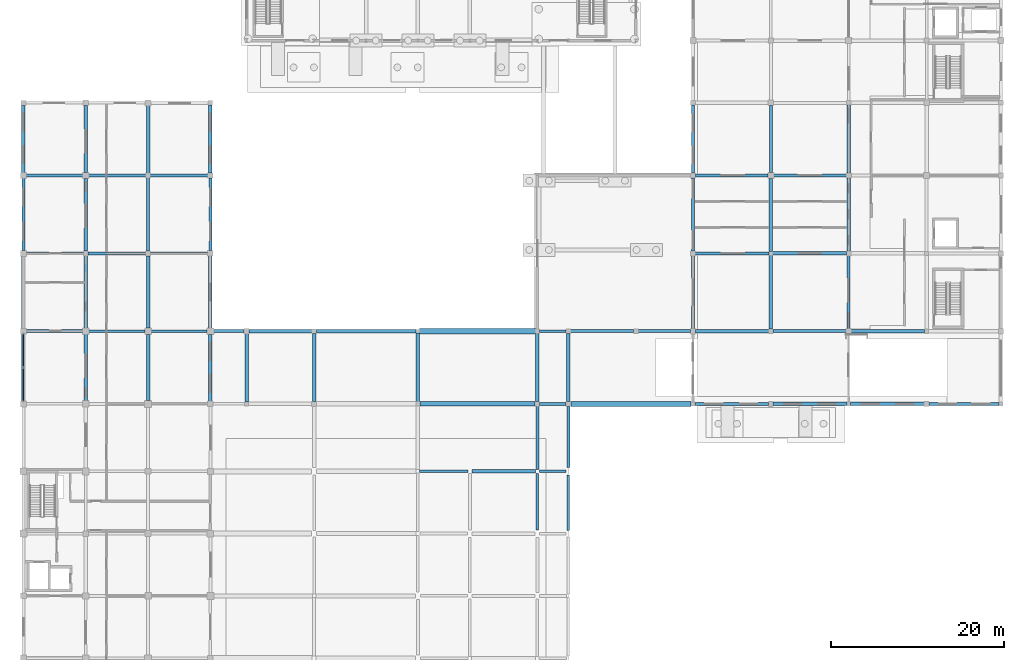
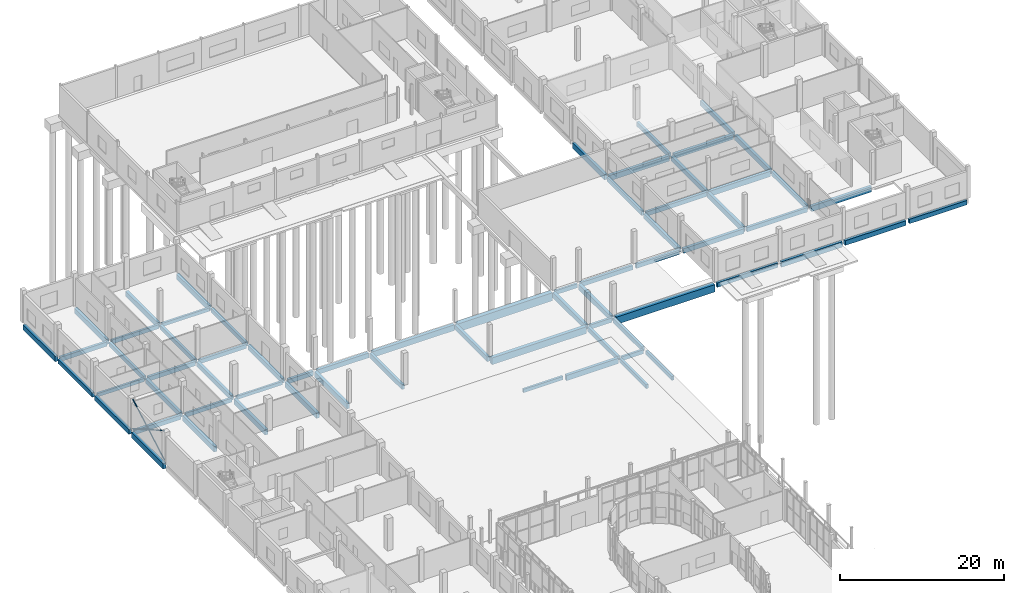
# One storey, part 50 of 91: 67 beams, 3 members.
"""IFC4 building model written with IfcOpenShell, lengths in metres."""

from ifc_helpers import new_model, si_unit, direction, frame, origin, origin_2d, place, context, subcontext, project, spatial, rectangle, hollow_circle, extrude, material, material_profile, profile_set, type_object, element, save


model = new_model("IFC4")

# Units and contexts
model_context = context("Model", 3, precision=1e-05, world=origin(), true_north=direction((0.0, 1.0)))
body_context = subcontext(model_context, "Body", "Model", "MODEL_VIEW")
ifc_project = project(units=[si_unit("LENGTHUNIT", "METRE"), si_unit("AREAUNIT", "SQUARE_METRE"), si_unit("VOLUMEUNIT", "CUBIC_METRE"), si_unit("PLANEANGLEUNIT", "RADIAN"), si_unit("MASSUNIT", "GRAM", prefix="KILO")], contexts=[model_context])

# Site, building, storey
site_placement = place(None, origin())
site = spatial("IfcSite", under=ifc_project, at=site_placement, CompositionType="ELEMENT")
building_placement = place(site_placement, origin())
building = spatial("IfcBuilding", under=site, at=building_placement, Name="Vinh Khe Railworks Police Headquarters", CompositionType="ELEMENT")
storey_placement = place(building_placement, origin())
storey = spatial("IfcBuildingStorey", under=building, at=storey_placement, Name="L00", CompositionType="ELEMENT", Elevation=0.0)

# Members
ifc_material_1 = material(Name="Steel S355JR", Category="steel")
ifc_material_profile_1 = material_profile(ifc_material_1, hollow_circle(Radius=0.084228515625, WallThickness=0.010009765625, at=origin_2d()), Name="CHS 168.3x10")
ifc_profile_set_1 = profile_set([ifc_material_profile_1], Name="Steel S355JR")
member_type = type_object("IfcMemberType", Name="Concentric Brace CHS 168.3x10", PredefinedType="BRACE", material=ifc_profile_set_1)
member_placement = place(storey_placement, frame((0.60009765625, 96.330078125, 0.199951171875), z_axis=(0.0, 0.870020230282, 0.493016022964), x_axis=(-1.0, 0.0, 0.0)))
element("IfcMember", 1, at=member_placement, inside=storey, type_object=member_type, Name="Continuous Concentric Brace MEM-BR-L00-BR-12-025", PredefinedType="BRACE", context=body_context, shape_type="SweptSolid", body=[
    extrude(hollow_circle(Radius=0.084228515625, WallThickness=0.010009765625, at=origin_2d()), origin(), (0.0, 0.0, 1.0), 8.925048828125),
])
for number, where, z_axis, x_axis, name in (
    (2, (0.60009765625, 96.330078125, 4.60009765625), (0.0, 0.870019792283, -0.493016795896), (-1.0, 0.0, 0.0), "Split X-Brace Segment MEM-BR-L00-BR-12-026 (2A)"),
    (3, (0.60009765625, 100.28857421875, 2.35693359375), (0.0, 0.870019792283, -0.493016795896), (-1.0, 0.0, 0.0), "Split X-Brace Segment MEM-BR-L00-BR-12-027 (2B)"),
):
    element("IfcMember", number, at=place(storey_placement, frame(where, z_axis=z_axis, x_axis=x_axis)), inside=storey, type_object=member_type, Name=name, PredefinedType="BRACE", context=body_context, shape_type="SweptSolid", body=[
        extrude(hollow_circle(Radius=0.084228515625, WallThickness=0.010009765625, at=origin_2d()), origin(), (0.0, 0.0, 1.0), 4.375),
    ])

# Beams
ifc_material_2 = material(Name="Concrete C35/45 (B35)", Category="concrete")
ifc_material_profile_2 = material_profile(ifc_material_2, rectangle(XDim=0.300048828125, YDim=0.5, at=origin_2d()), Name="RC 300x500")
ifc_profile_set_2 = profile_set([ifc_material_profile_2], Name="Concrete C35/45 (B35)")
beam_type_1 = type_object("IfcBeamType", Name="RC Girder RC 300x500", PredefinedType="BEAM", material=ifc_profile_set_2)
beam_1_placement = place(storey_placement, frame((46.405029296875, 88.199951171875, -0.530029296875), z_axis=(1.0, 0.0, 0.0), x_axis=(0.0, 1.0, 0.0)))
element("IfcBeam", 4, at=beam_1_placement, inside=storey, type_object=beam_type_1, Name="Girder BM-L00-EW-RB-10-0120", PredefinedType="BEAM", context=body_context, shape_type="SweptSolid", body=[
    extrude(rectangle(XDim=0.300048828125, YDim=0.5, at=origin_2d()), origin(), (0.0, 0.0, 1.0), 5.56494140625),
])
beam_2_placement = place(storey_placement, frame((15.35498046875, 104.39990234375, -0.530029296875), z_axis=(1.0, 0.0, 0.0), x_axis=(0.0, 1.0, 0.0)))
element("IfcBeam", 5, at=beam_2_placement, inside=storey, type_object=beam_type_1, Name="Girder BM-L00-EW-RB-10-0138", PredefinedType="BEAM", context=body_context, shape_type="SweptSolid", body=[
    extrude(rectangle(XDim=0.300048828125, YDim=0.5, at=origin_2d()), origin(), (0.0, 0.0, 1.0), 6.465087890625),
])
beam_3_placement = place(storey_placement, frame((0.929931640625, 113.39990234375, -0.530029296875), z_axis=(1.0, 0.0, 0.0), x_axis=(0.0, 1.0, 0.0)))
element("IfcBeam", 6, at=beam_3_placement, inside=storey, type_object=beam_type_1, Name="Girder BM-L00-EW-RB-10-0150", PredefinedType="BEAM", context=body_context, shape_type="SweptSolid", body=[
    extrude(rectangle(XDim=0.300048828125, YDim=0.5, at=origin_2d()), origin(), (0.0, 0.0, 1.0), 6.614990234375),
])
beam_4_placement = place(storey_placement, frame((15.2548828125, 122.39990234375, -0.530029296875), z_axis=(1.0, 0.0, 0.0), x_axis=(0.0, 1.0, 0.0)))
element("IfcBeam", 7, at=beam_4_placement, inside=storey, type_object=beam_type_1, Name="Girder BM-L00-EW-RB-10-0159", PredefinedType="BEAM", context=body_context, shape_type="SweptSolid", body=[
    extrude(rectangle(XDim=0.300048828125, YDim=0.5, at=origin_2d()), origin(), (0.0, 0.0, 1.0), 6.6650390625),
])
ifc_material_profile_3 = material_profile(ifc_material_2, rectangle(XDim=0.300048828125, YDim=0.60009765625, at=origin_2d()), Name="RC 300x600")
ifc_profile_set_3 = profile_set([ifc_material_profile_3], Name="Concrete C35/45 (B35)")
beam_type_2 = type_object("IfcBeamType", Name="RC Girder RC 300x600", PredefinedType="BEAM", material=ifc_profile_set_3)
beam_5_placement = place(storey_placement, frame((60.22998046875, 88.199951171875, -0.580078125), z_axis=(1.0, 0.0, 0.0), x_axis=(0.0, 1.0, 0.0)))
element("IfcBeam", 8, at=beam_5_placement, inside=storey, type_object=beam_type_2, Name="Girder BM-L00-EW-RB-09-0122", PredefinedType="BEAM", context=body_context, shape_type="SweptSolid", body=[
    extrude(rectangle(XDim=0.300048828125, YDim=0.60009765625, at=origin_2d()), origin(), (0.0, 0.0, 1.0), 3.090087890625),
])
beam_6_placement = place(storey_placement, frame((8.1298828125, 104.39990234375, -0.580078125), z_axis=(1.0, 0.0, 0.0), x_axis=(0.0, 1.0, 0.0)))
element("IfcBeam", 9, at=beam_6_placement, inside=storey, type_object=beam_type_2, Name="Girder BM-L00-EW-RB-09-0137", PredefinedType="BEAM", context=body_context, shape_type="SweptSolid", body=[
    extrude(rectangle(XDim=0.300048828125, YDim=0.60009765625, at=origin_2d()), origin(), (0.0, 0.0, 1.0), 6.51513671875),
])
beam_7_placement = place(storey_placement, frame((60.22998046875, 104.39990234375, -0.580078125), z_axis=(1.0, 0.0, 0.0), x_axis=(0.0, 1.0, 0.0)))
element("IfcBeam", 10, at=beam_7_placement, inside=storey, type_object=beam_type_2, Name="Girder BM-L00-EW-RB-09-0143", PredefinedType="BEAM", context=body_context, shape_type="SweptSolid", body=[
    extrude(rectangle(XDim=0.300048828125, YDim=0.60009765625, at=origin_2d()), origin(), (0.0, 0.0, 1.0), 3.114990234375),
])
beam_8_placement = place(storey_placement, frame((15.280029296875, 113.39990234375, -0.580078125), z_axis=(1.0, 0.0, 0.0), x_axis=(0.0, 1.0, 0.0)))
element("IfcBeam", 11, at=beam_8_placement, inside=storey, type_object=beam_type_2, Name="Girder BM-L00-EW-RB-09-0152", PredefinedType="BEAM", context=body_context, shape_type="SweptSolid", body=[
    extrude(rectangle(XDim=0.300048828125, YDim=0.60009765625, at=origin_2d()), origin(), (0.0, 0.0, 1.0), 6.614990234375),
])
beam_9_placement = place(storey_placement, frame((8.1298828125, 122.39990234375, -0.580078125), z_axis=(1.0, 0.0, 0.0), x_axis=(0.0, 1.0, 0.0)))
element("IfcBeam", 12, at=beam_9_placement, inside=storey, type_object=beam_type_2, Name="Girder BM-L00-EW-RB-09-0158", PredefinedType="BEAM", context=body_context, shape_type="SweptSolid", body=[
    extrude(rectangle(XDim=0.300048828125, YDim=0.60009765625, at=origin_2d()), origin(), (0.0, 0.0, 1.0), 6.615234375),
])
beam_10_placement = place(storey_placement, frame((60.0, 81.429931640625, -0.580078125), z_axis=(0.0, 1.0, 0.0), x_axis=(-1.0, 0.0, 0.0)))
element("IfcBeam", 13, at=beam_10_placement, inside=storey, type_object=beam_type_2, Name="Girder BM-L00-NS-RB-09-0332", PredefinedType="BEAM", context=body_context, shape_type="SweptSolid", body=[
    extrude(rectangle(XDim=0.300048828125, YDim=0.60009765625, at=origin_2d()), origin(), (0.0, 0.0, 1.0), 6.5400390625),
])
beam_11_placement = place(storey_placement, frame((63.60009765625, 81.3798828125, -0.580078125), z_axis=(0.0, 1.0, 0.0), x_axis=(-1.0, 0.0, 0.0)))
element("IfcBeam", 14, at=beam_11_placement, inside=storey, type_object=beam_type_2, Name="Girder BM-L00-NS-RB-09-0347", PredefinedType="BEAM", context=body_context, shape_type="SweptSolid", body=[
    extrude(rectangle(XDim=0.300048828125, YDim=0.60009765625, at=origin_2d()), origin(), (0.0, 0.0, 1.0), 6.39013671875),
])
ifc_material_profile_4 = material_profile(ifc_material_2, rectangle(XDim=0.35009765625, YDim=0.64990234375, at=origin_2d()), Name="RC 350x650")
ifc_profile_set_4 = profile_set([ifc_material_profile_4], Name="Concrete C35/45 (B35)")
beam_type_3 = type_object("IfcBeamType", Name="RC Girder RC 350x650", PredefinedType="BEAM", material=ifc_profile_set_4)
beam_12_placement = place(storey_placement, frame((60.2548828125, 96.0, -0.60498046875), z_axis=(1.0, 0.0, 0.0), x_axis=(0.0, 1.0, 0.0)))
element("IfcBeam", 15, at=beam_12_placement, inside=storey, type_object=beam_type_3, Name="Girder BM-L00-EW-RB-08-0130", PredefinedType="BEAM", context=body_context, shape_type="SweptSolid", body=[
    extrude(rectangle(XDim=0.35009765625, YDim=0.64990234375, at=origin_2d()), origin(), (0.0, 0.0, 1.0), 3.065185546875),
])
beam_13_placement = place(storey_placement, frame((78.205078125, 96.0, -0.60498046875), z_axis=(1.0, 0.0, 0.0), x_axis=(0.0, 1.0, 0.0)))
element("IfcBeam", 16, at=beam_13_placement, inside=storey, type_object=beam_type_3, Name="Girder BM-L00-EW-RB-08-0132", PredefinedType="BEAM", context=body_context, shape_type="SweptSolid", body=[
    extrude(rectangle(XDim=0.35009765625, YDim=0.64990234375, at=origin_2d()), origin(), (0.0, 0.0, 1.0), 8.5400390625),
])
beam_14_placement = place(storey_placement, frame((105.2548828125, 96.0, -0.60498046875), z_axis=(1.0, 0.0, 0.0), x_axis=(0.0, 1.0, 0.0)))
element("IfcBeam", 17, at=beam_14_placement, inside=storey, type_object=beam_type_3, Name="Girder BM-L00-EW-RB-08-0135", PredefinedType="BEAM", context=body_context, shape_type="SweptSolid", body=[
    extrude(rectangle(XDim=0.35009765625, YDim=0.64990234375, at=origin_2d()), origin(), (0.0, 0.0, 1.0), 8.14013671875),
])
beam_15_placement = place(storey_placement, frame((0.905029296875, 104.39990234375, -0.60498046875), z_axis=(1.0, 0.0, 0.0), x_axis=(0.0, 1.0, 0.0)))
element("IfcBeam", 18, at=beam_15_placement, inside=storey, type_object=beam_type_3, Name="Girder BM-L00-EW-RB-08-0136", PredefinedType="BEAM", context=body_context, shape_type="SweptSolid", body=[
    extrude(rectangle(XDim=0.35009765625, YDim=0.64990234375, at=origin_2d()), origin(), (0.0, 0.0, 1.0), 6.56494140625),
])
beam_16_placement = place(storey_placement, frame((22.580078125, 104.39990234375, -0.60498046875), z_axis=(1.0, 0.0, 0.0), x_axis=(0.0, 1.0, 0.0)))
element("IfcBeam", 19, at=beam_16_placement, inside=storey, type_object=beam_type_3, Name="Girder BM-L00-EW-RB-08-0139", PredefinedType="BEAM", context=body_context, shape_type="SweptSolid", body=[
    extrude(rectangle(XDim=0.35009765625, YDim=0.64990234375, at=origin_2d()), origin(), (0.0, 0.0, 1.0), 3.5400390625),
])
beam_17_placement = place(storey_placement, frame((63.85498046875, 104.39990234375, -0.60498046875), z_axis=(1.0, 0.0, 0.0), x_axis=(0.0, 1.0, 0.0)))
element("IfcBeam", 20, at=beam_17_placement, inside=storey, type_object=beam_type_3, Name="Girder BM-L00-EW-RB-08-0144", PredefinedType="BEAM", context=body_context, shape_type="SweptSolid", body=[
    extrude(rectangle(XDim=0.35009765625, YDim=0.64990234375, at=origin_2d()), origin(), (0.0, 0.0, 1.0), 7.2900390625),
])
beam_18_placement = place(storey_placement, frame((71.655029296875, 104.39990234375, -0.60498046875), z_axis=(1.0, 0.0, 0.0), x_axis=(0.0, 1.0, 0.0)))
element("IfcBeam", 21, at=beam_18_placement, inside=storey, type_object=beam_type_3, Name="Girder BM-L00-EW-RB-08-0145", PredefinedType="BEAM", context=body_context, shape_type="SweptSolid", body=[
    extrude(rectangle(XDim=0.35009765625, YDim=0.64990234375, at=origin_2d()), origin(), (0.0, 0.0, 1.0), 6.06494140625),
])
beam_19_placement = place(storey_placement, frame((87.22998046875, 104.39990234375, -0.60498046875), z_axis=(1.0, 0.0, 0.0), x_axis=(0.0, 1.0, 0.0)))
element("IfcBeam", 22, at=beam_19_placement, inside=storey, type_object=beam_type_3, Name="Girder BM-L00-EW-RB-08-0147", PredefinedType="BEAM", context=body_context, shape_type="SweptSolid", body=[
    extrude(rectangle(XDim=0.35009765625, YDim=0.64990234375, at=origin_2d()), origin(), (0.0, 0.0, 1.0), 8.489990234375),
])
beam_20_placement = place(storey_placement, frame((8.054931640625, 113.39990234375, -0.60498046875), z_axis=(1.0, 0.0, 0.0), x_axis=(0.0, 1.0, 0.0)))
element("IfcBeam", 23, at=beam_20_placement, inside=storey, type_object=beam_type_3, Name="Girder BM-L00-EW-RB-08-0151", PredefinedType="BEAM", context=body_context, shape_type="SweptSolid", body=[
    extrude(rectangle(XDim=0.35009765625, YDim=0.64990234375, at=origin_2d()), origin(), (0.0, 0.0, 1.0), 6.6650390625),
])
beam_21_placement = place(storey_placement, frame((78.2548828125, 113.39990234375, -0.60498046875), z_axis=(1.0, 0.0, 0.0), x_axis=(0.0, 1.0, 0.0)))
element("IfcBeam", 24, at=beam_21_placement, inside=storey, type_object=beam_type_3, Name="Girder BM-L00-EW-RB-08-0153", PredefinedType="BEAM", context=body_context, shape_type="SweptSolid", body=[
    extrude(rectangle(XDim=0.35009765625, YDim=0.64990234375, at=origin_2d()), origin(), (0.0, 0.0, 1.0), 8.5400390625),
])
beam_22_placement = place(storey_placement, frame((0.905029296875, 122.39990234375, -0.60498046875), z_axis=(1.0, 0.0, 0.0), x_axis=(0.0, 1.0, 0.0)))
element("IfcBeam", 25, at=beam_22_placement, inside=storey, type_object=beam_type_3, Name="Girder BM-L00-EW-RB-08-0157", PredefinedType="BEAM", context=body_context, shape_type="SweptSolid", body=[
    extrude(rectangle(XDim=0.35009765625, YDim=0.64990234375, at=origin_2d()), origin(), (0.0, 0.0, 1.0), 6.56494140625),
])
beam_23_placement = place(storey_placement, frame((0.60009765625, 113.72998046875, -0.60498046875), z_axis=(0.0, 1.0, 0.0), x_axis=(-1.0, 0.0, 0.0)))
element("IfcBeam", 26, at=beam_23_placement, inside=storey, type_object=beam_type_3, Name="Girder BM-L00-NS-RB-08-0207", PredefinedType="BEAM", context=body_context, shape_type="SweptSolid", body=[
    extrude(rectangle(XDim=0.35009765625, YDim=0.64990234375, at=origin_2d()), origin(), (0.0, 0.0, 1.0), 8.364990234375),
])
beam_24_placement = place(storey_placement, frame((7.800048828125, 113.655029296875, -0.60498046875), z_axis=(0.0, 1.0, 0.0), x_axis=(-1.0, 0.0, 0.0)))
element("IfcBeam", 27, at=beam_24_placement, inside=storey, type_object=beam_type_3, Name="Girder BM-L00-NS-RB-08-0225", PredefinedType="BEAM", context=body_context, shape_type="SweptSolid", body=[
    extrude(rectangle(XDim=0.35009765625, YDim=0.64990234375, at=origin_2d()), origin(), (0.0, 0.0, 1.0), 8.4150390625),
])
beam_25_placement = place(storey_placement, frame((15.0, 113.679931640625, -0.60498046875), z_axis=(0.0, 1.0, 0.0), x_axis=(-1.0, 0.0, 0.0)))
element("IfcBeam", 28, at=beam_25_placement, inside=storey, type_object=beam_type_3, Name="Girder BM-L00-NS-RB-08-0243", PredefinedType="BEAM", context=body_context, shape_type="SweptSolid", body=[
    extrude(rectangle(XDim=0.35009765625, YDim=0.64990234375, at=origin_2d()), origin(), (0.0, 0.0, 1.0), 8.465087890625),
])
beam_26_placement = place(storey_placement, frame((22.199951171875, 113.705078125, -0.60498046875), z_axis=(0.0, 1.0, 0.0), x_axis=(-1.0, 0.0, 0.0)))
element("IfcBeam", 29, at=beam_26_placement, inside=storey, type_object=beam_type_3, Name="Girder BM-L00-NS-RB-08-0261", PredefinedType="BEAM", context=body_context, shape_type="SweptSolid", body=[
    extrude(rectangle(XDim=0.35009765625, YDim=0.64990234375, at=origin_2d()), origin(), (0.0, 0.0, 1.0), 8.4150390625),
])
beam_27_placement = place(storey_placement, frame((60.0, 88.429931640625, -0.60498046875), z_axis=(0.0, 1.0, 0.0), x_axis=(-1.0, 0.0, 0.0)))
element("IfcBeam", 30, at=beam_27_placement, inside=storey, type_object=beam_type_3, Name="Girder BM-L00-NS-RB-08-0333", PredefinedType="BEAM", context=body_context, shape_type="SweptSolid", body=[
    extrude(rectangle(XDim=0.35009765625, YDim=0.64990234375, at=origin_2d()), origin(), (0.0, 0.0, 1.0), 7.315185546875),
])
beam_28_placement = place(storey_placement, frame((63.60009765625, 88.6298828125, -0.60498046875), z_axis=(0.0, 1.0, 0.0), x_axis=(-1.0, 0.0, 0.0)))
element("IfcBeam", 31, at=beam_28_placement, inside=storey, type_object=beam_type_3, Name="Girder BM-L00-NS-RB-08-0348", PredefinedType="BEAM", context=body_context, shape_type="SweptSolid", body=[
    extrude(rectangle(XDim=0.35009765625, YDim=0.64990234375, at=origin_2d()), origin(), (0.0, 0.0, 1.0), 7.090087890625),
])
beam_29_placement = place(storey_placement, frame((78.0, 113.655029296875, -0.60498046875), z_axis=(0.0, 1.0, 0.0), x_axis=(-1.0, 0.0, 0.0)))
element("IfcBeam", 32, at=beam_29_placement, inside=storey, type_object=beam_type_3, Name="Girder BM-L00-NS-RB-08-0351", PredefinedType="BEAM", context=body_context, shape_type="SweptSolid", body=[
    extrude(rectangle(XDim=0.35009765625, YDim=0.64990234375, at=origin_2d()), origin(), (0.0, 0.0, 1.0), 8.465087890625),
])
beam_30_placement = place(storey_placement, frame((87.0, 122.72998046875, -0.60498046875), z_axis=(0.0, 1.0, 0.0), x_axis=(-1.0, 0.0, 0.0)))
element("IfcBeam", 33, at=beam_30_placement, inside=storey, type_object=beam_type_3, Name="Girder BM-L00-NS-RB-08-0360", PredefinedType="BEAM", context=body_context, shape_type="SweptSolid", body=[
    extrude(rectangle(XDim=0.35009765625, YDim=0.64990234375, at=origin_2d()), origin(), (0.0, 0.0, 1.0), 7.76513671875),
])
beam_31_placement = place(storey_placement, frame((96.0, 104.679931640625, -0.60498046875), z_axis=(0.0, 1.0, 0.0), x_axis=(-1.0, 0.0, 0.0)))
element("IfcBeam", 34, at=beam_31_placement, inside=storey, type_object=beam_type_3, Name="Girder BM-L00-NS-RB-08-0366", PredefinedType="BEAM", context=body_context, shape_type="SweptSolid", body=[
    extrude(rectangle(XDim=0.35009765625, YDim=0.64990234375, at=origin_2d()), origin(), (0.0, 0.0, 1.0), 8.465087890625),
])
ifc_material_profile_5 = material_profile(ifc_material_2, rectangle(XDim=0.39990234375, YDim=0.699951171875, at=origin_2d()), Name="RC 400x700")
ifc_profile_set_5 = profile_set([ifc_material_profile_5], Name="Concrete C35/45 (B35)")
beam_type_4 = type_object("IfcBeamType", Name="RC Girder RC 400x700", PredefinedType="BEAM", material=ifc_profile_set_5)
beam_32_placement = place(storey_placement, frame((96.205078125, 96.0, -0.6298828125), z_axis=(1.0, 0.0, 0.0), x_axis=(0.0, 1.0, 0.0)))
element("IfcBeam", 35, at=beam_32_placement, inside=storey, type_object=beam_type_4, Name="Girder BM-L00-EW-RB-07-0134", PredefinedType="BEAM", context=body_context, shape_type="SweptSolid", body=[
    extrude(rectangle(XDim=0.39990234375, YDim=0.699951171875, at=origin_2d()), origin(), (0.0, 0.0, 1.0), 8.5400390625),
])
beam_33_placement = place(storey_placement, frame((26.679931640625, 104.39990234375, -0.6298828125), z_axis=(1.0, 0.0, 0.0), x_axis=(0.0, 1.0, 0.0)))
element("IfcBeam", 36, at=beam_33_placement, inside=storey, type_object=beam_type_4, Name="Girder BM-L00-EW-RB-07-0140", PredefinedType="BEAM", context=body_context, shape_type="SweptSolid", body=[
    extrude(rectangle(XDim=0.39990234375, YDim=0.699951171875, at=origin_2d()), origin(), (0.0, 0.0, 1.0), 7.26513671875),
])
beam_34_placement = place(storey_placement, frame((78.280029296875, 104.39990234375, -0.6298828125), z_axis=(1.0, 0.0, 0.0), x_axis=(0.0, 1.0, 0.0)))
element("IfcBeam", 37, at=beam_34_placement, inside=storey, type_object=beam_type_4, Name="Girder BM-L00-EW-RB-07-0146", PredefinedType="BEAM", context=body_context, shape_type="SweptSolid", body=[
    extrude(rectangle(XDim=0.39990234375, YDim=0.699951171875, at=origin_2d()), origin(), (0.0, 0.0, 1.0), 8.489990234375),
])
beam_35_placement = place(storey_placement, frame((87.330078125, 122.39990234375, -0.6298828125), z_axis=(1.0, 0.0, 0.0), x_axis=(0.0, 1.0, 0.0)))
element("IfcBeam", 38, at=beam_35_placement, inside=storey, type_object=beam_type_4, Name="Girder BM-L00-EW-RB-07-0161", PredefinedType="BEAM", context=body_context, shape_type="SweptSolid", body=[
    extrude(rectangle(XDim=0.39990234375, YDim=0.699951171875, at=origin_2d()), origin(), (0.0, 0.0, 1.0), 8.389892578125),
])
beam_36_placement = place(storey_placement, frame((0.60009765625, 104.705078125, -0.6298828125), z_axis=(0.0, 1.0, 0.0), x_axis=(-1.0, 0.0, 0.0)))
element("IfcBeam", 39, at=beam_36_placement, inside=storey, type_object=beam_type_4, Name="Girder BM-L00-NS-RB-07-0206", PredefinedType="BEAM", context=body_context, shape_type="SweptSolid", body=[
    extrude(rectangle(XDim=0.39990234375, YDim=0.699951171875, at=origin_2d()), origin(), (0.0, 0.0, 1.0), 8.364990234375),
])
beam_37_placement = place(storey_placement, frame((7.800048828125, 104.72998046875, -0.6298828125), z_axis=(0.0, 1.0, 0.0), x_axis=(-1.0, 0.0, 0.0)))
element("IfcBeam", 40, at=beam_37_placement, inside=storey, type_object=beam_type_4, Name="Girder BM-L00-NS-RB-07-0224", PredefinedType="BEAM", context=body_context, shape_type="SweptSolid", body=[
    extrude(rectangle(XDim=0.39990234375, YDim=0.699951171875, at=origin_2d()), origin(), (0.0, 0.0, 1.0), 8.4150390625),
])
beam_38_placement = place(storey_placement, frame((15.0, 104.7548828125, -0.6298828125), z_axis=(0.0, 1.0, 0.0), x_axis=(-1.0, 0.0, 0.0)))
element("IfcBeam", 41, at=beam_38_placement, inside=storey, type_object=beam_type_4, Name="Girder BM-L00-NS-RB-07-0242", PredefinedType="BEAM", context=body_context, shape_type="SweptSolid", body=[
    extrude(rectangle(XDim=0.39990234375, YDim=0.699951171875, at=origin_2d()), origin(), (0.0, 0.0, 1.0), 8.365234375),
])
beam_39_placement = place(storey_placement, frame((22.199951171875, 104.780029296875, -0.6298828125), z_axis=(0.0, 1.0, 0.0), x_axis=(-1.0, 0.0, 0.0)))
element("IfcBeam", 42, at=beam_39_placement, inside=storey, type_object=beam_type_4, Name="Girder BM-L00-NS-RB-07-0260", PredefinedType="BEAM", context=body_context, shape_type="SweptSolid", body=[
    extrude(rectangle(XDim=0.39990234375, YDim=0.699951171875, at=origin_2d()), origin(), (0.0, 0.0, 1.0), 8.31494140625),
])
beam_40_placement = place(storey_placement, frame((34.199951171875, 96.280029296875, -0.6298828125), z_axis=(0.0, 1.0, 0.0), x_axis=(-1.0, 0.0, 0.0)))
element("IfcBeam", 43, at=beam_40_placement, inside=storey, type_object=beam_type_4, Name="Girder BM-L00-NS-RB-07-0293", PredefinedType="BEAM", context=body_context, shape_type="SweptSolid", body=[
    extrude(rectangle(XDim=0.39990234375, YDim=0.699951171875, at=origin_2d()), origin(), (0.0, 0.0, 1.0), 7.864990234375),
])
beam_41_placement = place(storey_placement, frame((46.199951171875, 96.22998046875, -0.6298828125), z_axis=(0.0, 1.0, 0.0), x_axis=(-1.0, 0.0, 0.0)))
element("IfcBeam", 44, at=beam_41_placement, inside=storey, type_object=beam_type_4, Name="Girder BM-L00-NS-RB-07-0308", PredefinedType="BEAM", context=body_context, shape_type="SweptSolid", body=[
    extrude(rectangle(XDim=0.39990234375, YDim=0.699951171875, at=origin_2d()), origin(), (0.0, 0.0, 1.0), 7.965087890625),
])
for number, where, z_axis, x_axis, name in (
    (45, (78.0, 104.679931640625, -0.6298828125), (0.0, 1.0, 0.0), (-1.0, 0.0, 0.0), "Girder BM-L00-NS-RB-07-0350"),
    (46, (87.0, 113.60498046875, -0.6298828125), (0.0, 1.0, 0.0), (-1.0, 0.0, 0.0), "Girder BM-L00-NS-RB-07-0359"),
):
    element("IfcBeam", number, at=place(storey_placement, frame(where, z_axis=z_axis, x_axis=x_axis)), inside=storey, type_object=beam_type_4, Name=name, PredefinedType="BEAM", context=body_context, shape_type="SweptSolid", body=[
        extrude(rectangle(XDim=0.39990234375, YDim=0.699951171875, at=origin_2d()), origin(), (0.0, 0.0, 1.0), 8.465087890625),
    ])
beam_42_placement = place(storey_placement, frame((96.0, 122.679931640625, -0.6298828125), z_axis=(0.0, 1.0, 0.0), x_axis=(-1.0, 0.0, 0.0)))
element("IfcBeam", 47, at=beam_42_placement, inside=storey, type_object=beam_type_4, Name="Girder BM-L00-NS-RB-07-0368", PredefinedType="BEAM", context=body_context, shape_type="SweptSolid", body=[
    extrude(rectangle(XDim=0.39990234375, YDim=0.699951171875, at=origin_2d()), origin(), (0.0, 0.0, 1.0), 7.864990234375),
])
ifc_material_profile_6 = material_profile(ifc_material_2, rectangle(XDim=0.39990234375, YDim=0.800048828125, at=origin_2d()), Name="RC 400x800")
ifc_profile_set_6 = profile_set([ifc_material_profile_6], Name="Concrete C35/45 (B35)")
beam_type_5 = type_object("IfcBeamType", Name="RC Girder RC 400x800", PredefinedType="BEAM", material=ifc_profile_set_6)
beam_43_placement = place(storey_placement, frame((52.429931640625, 88.199951171875, -0.679931640625), z_axis=(1.0, 0.0, 0.0), x_axis=(0.0, 1.0, 0.0)))
element("IfcBeam", 48, at=beam_43_placement, inside=storey, type_object=beam_type_5, Name="Girder BM-L00-EW-RB-06-0121", PredefinedType="BEAM", context=body_context, shape_type="SweptSolid", body=[
    extrude(rectangle(XDim=0.39990234375, YDim=0.800048828125, at=origin_2d()), origin(), (0.0, 0.0, 1.0), 7.340087890625),
])
beam_44_placement = place(storey_placement, frame((87.2548828125, 96.0, -0.679931640625), z_axis=(1.0, 0.0, 0.0), x_axis=(0.0, 1.0, 0.0)))
element("IfcBeam", 49, at=beam_44_placement, inside=storey, type_object=beam_type_5, Name="Girder BM-L00-EW-RB-06-0133", PredefinedType="BEAM", context=body_context, shape_type="SweptSolid", body=[
    extrude(rectangle(XDim=0.39990234375, YDim=0.800048828125, at=origin_2d()), origin(), (0.0, 0.0, 1.0), 8.5400390625),
])
beam_45_placement = place(storey_placement, frame((96.280029296875, 104.39990234375, -0.679931640625), z_axis=(1.0, 0.0, 0.0), x_axis=(0.0, 1.0, 0.0)))
element("IfcBeam", 50, at=beam_45_placement, inside=storey, type_object=beam_type_5, Name="Girder BM-L00-EW-RB-06-0148", PredefinedType="BEAM", context=body_context, shape_type="SweptSolid", body=[
    extrude(rectangle(XDim=0.39990234375, YDim=0.800048828125, at=origin_2d()), origin(), (0.0, 0.0, 1.0), 8.489990234375),
])
beam_46_placement = place(storey_placement, frame((87.205078125, 113.39990234375, -0.679931640625), z_axis=(1.0, 0.0, 0.0), x_axis=(0.0, 1.0, 0.0)))
element("IfcBeam", 51, at=beam_46_placement, inside=storey, type_object=beam_type_5, Name="Girder BM-L00-EW-RB-06-0154", PredefinedType="BEAM", context=body_context, shape_type="SweptSolid", body=[
    extrude(rectangle(XDim=0.39990234375, YDim=0.800048828125, at=origin_2d()), origin(), (0.0, 0.0, 1.0), 8.5400390625),
])
beam_47_placement = place(storey_placement, frame((78.280029296875, 122.39990234375, -0.679931640625), z_axis=(1.0, 0.0, 0.0), x_axis=(0.0, 1.0, 0.0)))
element("IfcBeam", 52, at=beam_47_placement, inside=storey, type_object=beam_type_5, Name="Girder BM-L00-EW-RB-06-0160", PredefinedType="BEAM", context=body_context, shape_type="SweptSolid", body=[
    extrude(rectangle(XDim=0.39990234375, YDim=0.800048828125, at=origin_2d()), origin(), (0.0, 0.0, 1.0), 8.389892578125),
])
beam_48_placement = place(storey_placement, frame((0.60009765625, 96.330078125, -0.679931640625), z_axis=(0.0, 1.0, 0.0), x_axis=(-1.0, 0.0, 0.0)))
element("IfcBeam", 53, at=beam_48_placement, inside=storey, type_object=beam_type_5, Name="Girder BM-L00-NS-RB-06-0205", PredefinedType="BEAM", context=body_context, shape_type="SweptSolid", body=[
    extrude(rectangle(XDim=0.39990234375, YDim=0.800048828125, at=origin_2d()), origin(), (0.0, 0.0, 1.0), 7.764892578125),
])
beam_49_placement = place(storey_placement, frame((0.60009765625, 122.705078125, -0.679931640625), z_axis=(0.0, 1.0, 0.0), x_axis=(-1.0, 0.0, 0.0)))
element("IfcBeam", 54, at=beam_49_placement, inside=storey, type_object=beam_type_5, Name="Girder BM-L00-NS-RB-06-0208", PredefinedType="BEAM", context=body_context, shape_type="SweptSolid", body=[
    extrude(rectangle(XDim=0.39990234375, YDim=0.800048828125, at=origin_2d()), origin(), (0.0, 0.0, 1.0), 7.81494140625),
])
beam_50_placement = place(storey_placement, frame((7.800048828125, 96.35498046875, -0.679931640625), z_axis=(0.0, 1.0, 0.0), x_axis=(-1.0, 0.0, 0.0)))
element("IfcBeam", 55, at=beam_50_placement, inside=storey, type_object=beam_type_5, Name="Girder BM-L00-NS-RB-06-0223", PredefinedType="BEAM", context=body_context, shape_type="SweptSolid", body=[
    extrude(rectangle(XDim=0.39990234375, YDim=0.800048828125, at=origin_2d()), origin(), (0.0, 0.0, 1.0), 7.715087890625),
])
beam_51_placement = place(storey_placement, frame((7.800048828125, 122.72998046875, -0.679931640625), z_axis=(0.0, 1.0, 0.0), x_axis=(-1.0, 0.0, 0.0)))
element("IfcBeam", 56, at=beam_51_placement, inside=storey, type_object=beam_type_5, Name="Girder BM-L00-NS-RB-06-0226", PredefinedType="BEAM", context=body_context, shape_type="SweptSolid", body=[
    extrude(rectangle(XDim=0.39990234375, YDim=0.800048828125, at=origin_2d()), origin(), (0.0, 0.0, 1.0), 7.76513671875),
])
beam_52_placement = place(storey_placement, frame((15.0, 96.3798828125, -0.679931640625), z_axis=(0.0, 1.0, 0.0), x_axis=(-1.0, 0.0, 0.0)))
element("IfcBeam", 57, at=beam_52_placement, inside=storey, type_object=beam_type_5, Name="Girder BM-L00-NS-RB-06-0241", PredefinedType="BEAM", context=body_context, shape_type="SweptSolid", body=[
    extrude(rectangle(XDim=0.39990234375, YDim=0.800048828125, at=origin_2d()), origin(), (0.0, 0.0, 1.0), 7.6650390625),
])
beam_53_placement = place(storey_placement, frame((15.0, 122.655029296875, -0.679931640625), z_axis=(0.0, 1.0, 0.0), x_axis=(-1.0, 0.0, 0.0)))
element("IfcBeam", 58, at=beam_53_placement, inside=storey, type_object=beam_type_5, Name="Girder BM-L00-NS-RB-06-0244", PredefinedType="BEAM", context=body_context, shape_type="SweptSolid", body=[
    extrude(rectangle(XDim=0.39990234375, YDim=0.800048828125, at=origin_2d()), origin(), (0.0, 0.0, 1.0), 7.81494140625),
])
beam_54_placement = place(storey_placement, frame((22.199951171875, 96.304931640625, -0.679931640625), z_axis=(0.0, 1.0, 0.0), x_axis=(-1.0, 0.0, 0.0)))
element("IfcBeam", 59, at=beam_54_placement, inside=storey, type_object=beam_type_5, Name="Girder BM-L00-NS-RB-06-0259", PredefinedType="BEAM", context=body_context, shape_type="SweptSolid", body=[
    extrude(rectangle(XDim=0.39990234375, YDim=0.800048828125, at=origin_2d()), origin(), (0.0, 0.0, 1.0), 7.715087890625),
])
beam_55_placement = place(storey_placement, frame((22.199951171875, 122.679931640625, -0.679931640625), z_axis=(0.0, 1.0, 0.0), x_axis=(-1.0, 0.0, 0.0)))
element("IfcBeam", 60, at=beam_55_placement, inside=storey, type_object=beam_type_5, Name="Girder BM-L00-NS-RB-06-0262", PredefinedType="BEAM", context=body_context, shape_type="SweptSolid", body=[
    extrude(rectangle(XDim=0.39990234375, YDim=0.800048828125, at=origin_2d()), origin(), (0.0, 0.0, 1.0), 7.864990234375),
])
for number, where, z_axis, x_axis, name in (
    (61, (26.39990234375, 96.205078125, -0.679931640625), (0.0, 1.0, 0.0), (-1.0, 0.0, 0.0), "Girder BM-L00-NS-RB-06-0283"),
    (62, (60.0, 96.2548828125, -0.679931640625), (0.0, 1.0, 0.0), (-1.0, 0.0, 0.0), "Girder BM-L00-NS-RB-06-0334"),
):
    element("IfcBeam", number, at=place(storey_placement, frame(where, z_axis=z_axis, x_axis=x_axis)), inside=storey, type_object=beam_type_5, Name=name, PredefinedType="BEAM", context=body_context, shape_type="SweptSolid", body=[
        extrude(rectangle(XDim=0.39990234375, YDim=0.800048828125, at=origin_2d()), origin(), (0.0, 0.0, 1.0), 7.9150390625),
    ])
for number, where, z_axis, x_axis, name in (
    (63, (63.60009765625, 96.280029296875, -0.679931640625), (0.0, 1.0, 0.0), (-1.0, 0.0, 0.0), "Girder BM-L00-NS-RB-06-0349"),
    (64, (78.0, 122.679931640625, -0.679931640625), (0.0, 1.0, 0.0), (-1.0, 0.0, 0.0), "Girder BM-L00-NS-RB-06-0352"),
):
    element("IfcBeam", number, at=place(storey_placement, frame(where, z_axis=z_axis, x_axis=x_axis)), inside=storey, type_object=beam_type_5, Name=name, PredefinedType="BEAM", context=body_context, shape_type="SweptSolid", body=[
        extrude(rectangle(XDim=0.39990234375, YDim=0.800048828125, at=origin_2d()), origin(), (0.0, 0.0, 1.0), 7.864990234375),
    ])
beam_56_placement = place(storey_placement, frame((87.0, 104.6298828125, -0.679931640625), z_axis=(0.0, 1.0, 0.0), x_axis=(-1.0, 0.0, 0.0)))
element("IfcBeam", 65, at=beam_56_placement, inside=storey, type_object=beam_type_5, Name="Girder BM-L00-NS-RB-06-0358", PredefinedType="BEAM", context=body_context, shape_type="SweptSolid", body=[
    extrude(rectangle(XDim=0.39990234375, YDim=0.800048828125, at=origin_2d()), origin(), (0.0, 0.0, 1.0), 8.565185546875),
])
beam_57_placement = place(storey_placement, frame((96.0, 113.655029296875, -0.679931640625), z_axis=(0.0, 1.0, 0.0), x_axis=(-1.0, 0.0, 0.0)))
element("IfcBeam", 66, at=beam_57_placement, inside=storey, type_object=beam_type_5, Name="Girder BM-L00-NS-RB-06-0367", PredefinedType="BEAM", context=body_context, shape_type="SweptSolid", body=[
    extrude(rectangle(XDim=0.39990234375, YDim=0.800048828125, at=origin_2d()), origin(), (0.0, 0.0, 1.0), 8.465087890625),
])
ifc_material_profile_7 = material_profile(ifc_material_2, rectangle(XDim=0.449951171875, YDim=0.85009765625, at=origin_2d()), Name="RC 450x850")
ifc_profile_set_7 = profile_set([ifc_material_profile_7], Name="Concrete C35/45 (B35)")
beam_type_6 = type_object("IfcBeamType", Name="RC Girder RC 450x850", PredefinedType="BEAM", material=ifc_profile_set_7)
beam_58_placement = place(storey_placement, frame((34.455078125, 104.39990234375, -0.705078125), z_axis=(1.0, 0.0, 0.0), x_axis=(0.0, 1.0, 0.0)))
element("IfcBeam", 67, at=beam_58_placement, inside=storey, type_object=beam_type_6, Name="Girder BM-L00-EW-RB-05-0141", PredefinedType="BEAM", context=body_context, shape_type="SweptSolid", body=[
    extrude(rectangle(XDim=0.449951171875, YDim=0.85009765625, at=origin_2d()), origin(), (0.0, 0.0, 1.0), 11.5400390625),
])
ifc_material_profile_8 = material_profile(ifc_material_2, rectangle(XDim=0.5, YDim=1.0, at=origin_2d()), Name="RC 500x1000")
ifc_profile_set_8 = profile_set([ifc_material_profile_8], Name="Concrete C35/45 (B35)")
beam_type_7 = type_object("IfcBeamType", Name="RC Girder RC 500x1000", PredefinedType="BEAM", material=ifc_profile_set_8)
beam_59_placement = place(storey_placement, frame((46.429931640625, 96.0, -0.780029296875), z_axis=(1.0, 0.0, 0.0), x_axis=(0.0, 1.0, 0.0)))
element("IfcBeam", 68, at=beam_59_placement, inside=storey, type_object=beam_type_7, Name="Girder BM-L00-EW-RB-03-0129", PredefinedType="BEAM", context=body_context, shape_type="SweptSolid", body=[
    extrude(rectangle(XDim=0.5, YDim=1.0, at=origin_2d()), origin(), (0.0, 0.0, 1.0), 13.315185546875),
])
ifc_material_profile_9 = material_profile(ifc_material_2, rectangle(XDim=0.60009765625, YDim=1.10009765625, at=origin_2d()), Name="RC 600x1100")
ifc_profile_set_9 = profile_set([ifc_material_profile_9], Name="Concrete C35/45 (B35)")
beam_type_8 = type_object("IfcBeamType", Name="RC Girder RC 600x1100", PredefinedType="BEAM", material=ifc_profile_set_9)
beam_60_placement = place(storey_placement, frame((63.8798828125, 96.0, -0.830078125), z_axis=(1.0, 0.0, 0.0), x_axis=(0.0, 1.0, 0.0)))
element("IfcBeam", 69, at=beam_60_placement, inside=storey, type_object=beam_type_8, Name="Girder BM-L00-EW-RB-02-0131", PredefinedType="BEAM", context=body_context, shape_type="SweptSolid", body=[
    extrude(rectangle(XDim=0.60009765625, YDim=1.10009765625, at=origin_2d()), origin(), (0.0, 0.0, 1.0), 13.9150390625),
])
ifc_material_profile_10 = material_profile(ifc_material_2, rectangle(XDim=0.60009765625, YDim=1.199951171875, at=origin_2d()), Name="RC 600x1200")
ifc_profile_set_10 = profile_set([ifc_material_profile_10], Name="Concrete C35/45 (B35)")
beam_type_9 = type_object("IfcBeamType", Name="RC Girder RC 600x1200", PredefinedType="BEAM", material=ifc_profile_set_10)
beam_61_placement = place(storey_placement, frame((46.405029296875, 104.39990234375, -0.8798828125), z_axis=(1.0, 0.0, 0.0), x_axis=(0.0, 1.0, 0.0)))
element("IfcBeam", 70, at=beam_61_placement, inside=storey, type_object=beam_type_9, Name="Girder BM-L00-EW-RB-01-0142", PredefinedType="BEAM", context=body_context, shape_type="SweptSolid", body=[
    extrude(rectangle(XDim=0.60009765625, YDim=1.199951171875, at=origin_2d()), origin(), (0.0, 0.0, 1.0), 13.364990234375),
])

save(model, "model.ifc")
